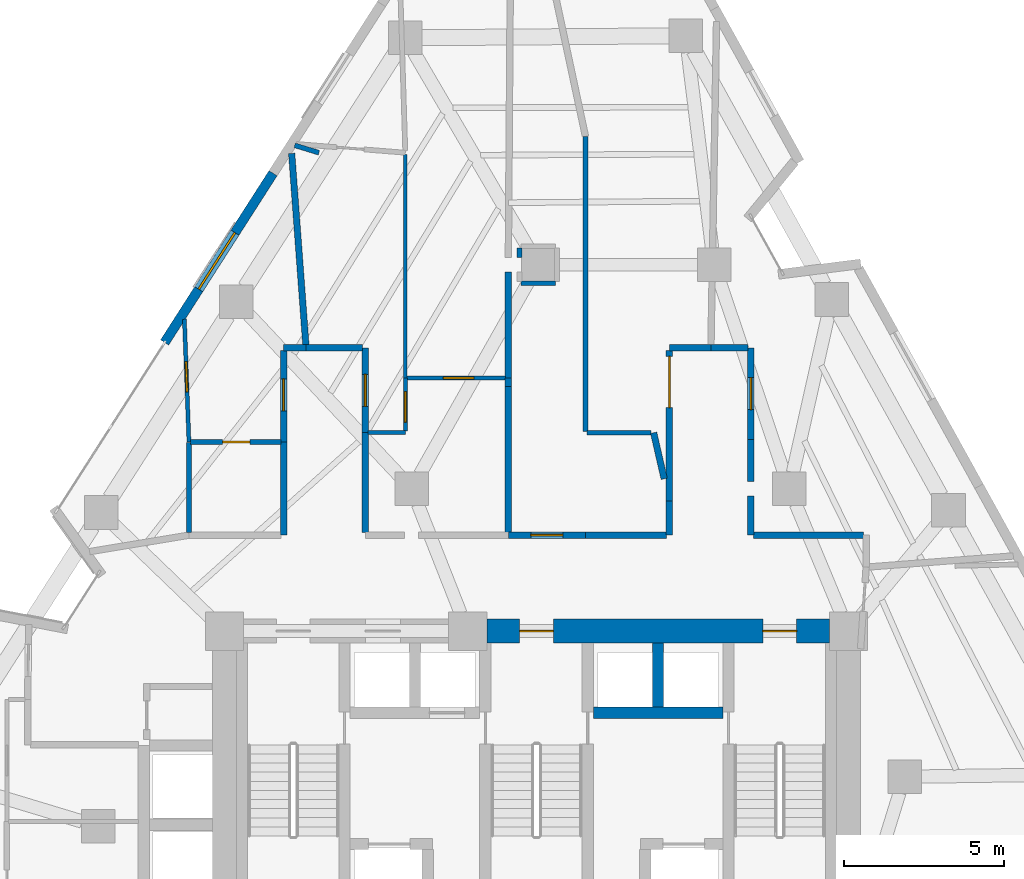
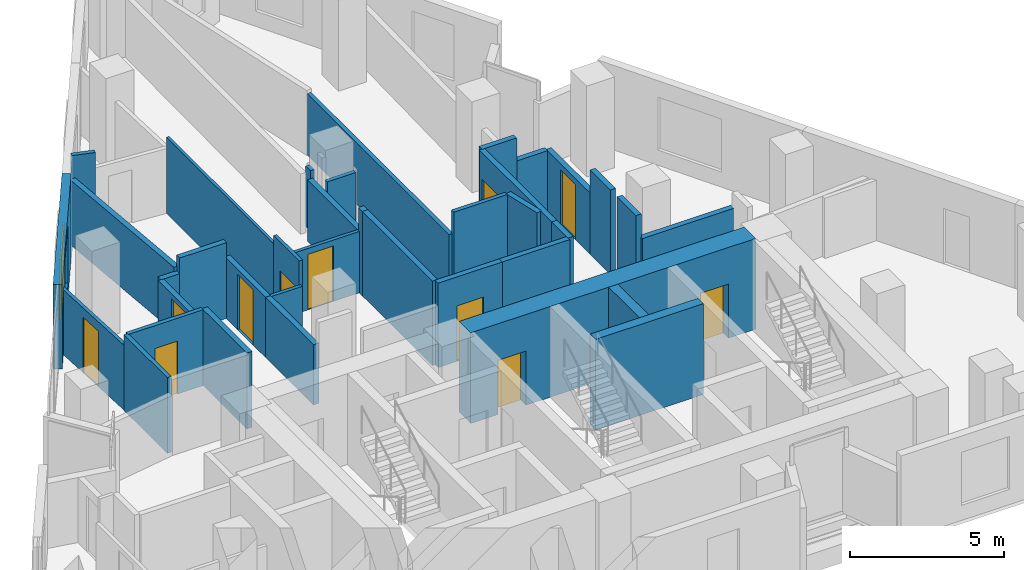
# One storey, part 7 of 11: 37 walls, 11 doors, 1 window, 12 openings.
"""IFC4 building model written with IfcOpenShell, lengths in metres."""

from ifc_helpers import new_model, si_unit, direction, frame, frame_2d, origin, place, context, subcontext, project, spatial, rectangle, extrude, material, layer, layer_set, type_object, element, fill, save


model = new_model("IFC4")

# Units and contexts
model_context = context("Model", 3, precision=1e-05, world=origin(), true_north=direction((0.0, 1.0)))
body_context = subcontext(model_context, "Body", "Model", "MODEL_VIEW")
ifc_project = project(units=[si_unit("LENGTHUNIT", "METRE"), si_unit("AREAUNIT", "SQUARE_METRE"), si_unit("VOLUMEUNIT", "CUBIC_METRE"), si_unit("PLANEANGLEUNIT", "RADIAN"), si_unit("MASSUNIT", "GRAM", prefix="KILO")], contexts=[model_context])

# Site, building, storey
site_placement = place(None, origin())
site = spatial("IfcSite", under=ifc_project, at=site_placement, CompositionType="ELEMENT")
building_placement = place(site_placement, origin())
building = spatial("IfcBuilding", under=site, at=building_placement, Name="Almagre Mirador Tower", CompositionType="ELEMENT")
storey_placement = place(building_placement, frame((0.0, 0.0, 157.199951171875)))
storey = spatial("IfcBuildingStorey", under=building, at=storey_placement, Name="L40", CompositionType="ELEMENT", Elevation=157.199951171875)

# Wall, opening, window
ifc_material_1 = material(Name="Precast concrete C50/60", Category="concrete")
ifc_layer_1 = layer(ifc_material_1, 0.300048828125)
ifc_layer_set_1 = layer_set([ifc_layer_1], Name="Precast concrete C50/60")
wall_type_1 = type_object("IfcWallType", Name="WAL-EXT-300", PredefinedType="SOLIDWALL", material=ifc_layer_set_1)
wall_1_placement = place(storey_placement, frame((25.679443359375, 23.771728515625, 0.0), z_axis=(0.0, 0.0, 1.0), x_axis=(0.539489448276, 0.841992360535, 0.0)))
wall_1 = element("IfcWall", 1, at=wall_1_placement, inside=storey, type_object=wall_type_1, Name="L40 expressed almagre precast frame wall 03", PredefinedType="SOLIDWALL", context=body_context, shape_type="SweptSolid", body=[
    extrude(rectangle(XDim=6.279052734375, YDim=0.300048828125, at=frame_2d((3.1396484375, 0.0))), origin(), (0.0, 0.0, 1.0), 3.35009765625),
])
opening_1_placement = place(wall_1_placement, frame((1.97509765625, 0.0, 0.550048828125)))
opening_1 = element("IfcOpeningElement", 2, at=opening_1_placement, cuts=wall_1, Name="Opening WN-05", PredefinedType="OPENING", context=body_context, shape_type="SweptSolid", body=[
    extrude(rectangle(XDim=2.10009765625, YDim=2.39990234375, at=frame_2d((1.050048828125, 1.199951171875))), frame((0.0, 0.159902, 0.0), z_axis=(0.0, -1.0, 0.0), x_axis=(1.0, 0.0, 0.0)), (0.0, 0.0, 1.0), 0.320049),
])
ifc_material_2 = material(Name="Dark solar-control laminated hurricane glass", Category="glass")
window_type = type_object("IfcWindowType", Name="WIN-2100X2400", PartitioningType="DOUBLE_PANEL_VERTICAL", PredefinedType="WINDOW", material=ifc_material_2)
window_placement = place(opening_1_placement, origin())
window = element("IfcWindow", 3, at=window_placement, inside=storey, type_object=window_type, Name="L40 recessed hurricane window L40-UD-ST", OverallHeight=2.39990234375, OverallWidth=2.10009765625, PartitioningType="SINGLE_PANEL", PredefinedType="WINDOW", context=body_context, shape_type="SweptSolid", body=[
    extrude(rectangle(XDim=2.10009765625, YDim=2.39990234375, at=frame_2d((1.050048828125, 1.199951171875))), frame((0.0, 0.030029296875, 0.0), z_axis=(0.0, -1.0, 0.0), x_axis=(1.0, 0.0, 0.0)), (0.0, 0.0, 1.0), 0.06005859375),
])
fill(opening_1, window)

# Wall
ifc_material_3 = material(Name="Gypsum acoustic stud partition", Category="other")
ifc_layer_2 = layer(ifc_material_3, 0.10009765625)
ifc_layer_set_2 = layer_set([ifc_layer_2], Name="Gypsum acoustic stud partition")
wall_type_2 = type_object("IfcWallType", Name="WAL-PRT-100-CLS", PredefinedType="PARTITIONING", material=ifc_layer_set_2)
wall_2_placement = place(storey_placement, frame((33.199951171875, 22.659912109375, 0.0), z_axis=(0.0, 0.0, 1.0), x_axis=(0.0, 1.0, 0.0)))
element("IfcWall", 4, at=wall_2_placement, inside=storey, type_object=wall_type_2, Name="L40 interior partition 062", PredefinedType="PARTITIONING", context=body_context, shape_type="SweptSolid", body=[
    extrude(rectangle(XDim=6.97998046875, YDim=0.10009765625, at=frame_2d((3.489990234375, 0.0))), origin(), (0.0, 0.0, 1.0), 3.010009765625),
])

# Wall, opening, door
ifc_material_4 = material(Name="Gypsum acoustic stud partition", Category="other")
ifc_layer_3 = layer(ifc_material_4, 0.125)
ifc_layer_set_3 = layer_set([ifc_layer_3], Name="Gypsum acoustic stud partition")
wall_type_3 = type_object("IfcWallType", Name="WAL-PRT-125-UTL", PredefinedType="PARTITIONING", material=ifc_layer_set_3)
wall_3_placement = place(storey_placement, frame((26.298095703125, 24.4970703125, 0.0), z_axis=(0.0, 0.0, 1.0), x_axis=(0.036941110587, -0.999317444233, 0.0)))
wall_3 = element("IfcWall", 5, at=wall_3_placement, inside=storey, type_object=wall_type_3, Name="L40 interior partition 042", PredefinedType="PARTITIONING", context=body_context, shape_type="SweptSolid", body=[
    extrude(rectangle(XDim=3.83984375, YDim=0.125, at=frame_2d((1.919921875, 0.0))), origin(), (0.0, 0.0, 1.0), 2.570068359375),
])
opening_2_placement = place(wall_3_placement, frame((1.32470703125, 0.0, 0.0)))
opening_2 = element("IfcOpeningElement", 6, at=opening_2_placement, cuts=wall_3, Name="Opening UD-01", PredefinedType="OPENING", context=body_context, shape_type="SweptSolid", body=[
    extrude(rectangle(XDim=0.949951171875, YDim=2.199951171875, at=frame_2d((0.47509765625, 1.10009765625))), frame((0.0, 0.0725, 0.0), z_axis=(0.0, -1.0, 0.0), x_axis=(1.0, 0.0, 0.0)), (0.0, 0.0, 1.0), 0.145),
])
ifc_material_5 = material(Name="Solid American walnut timber", Category="wood")
door_type_1 = type_object("IfcDoorType", Name="DOR-UNR-950X2200", OperationType="NOTDEFINED", PredefinedType="DOOR", material=ifc_material_5)
door_1_placement = place(opening_2_placement, origin())
door_1 = element("IfcDoor", 7, at=door_1_placement, inside=storey, type_object=door_type_1, Name="DR-1300 L40 interior door L40-UD-ST to L40-UD-KT", OperationType="SINGLE_SWING_LEFT", OverallHeight=2.199951171875, OverallWidth=0.949951171875, PredefinedType="DOOR", context=body_context, shape_type="SweptSolid", body=[
    extrude(rectangle(XDim=0.949951171875, YDim=2.199951171875, at=frame_2d((0.47509765625, 1.10009765625))), frame((0.0, 0.02490234375, 0.0), z_axis=(0.0, -1.0, 0.0), x_axis=(1.0, 0.0, 0.0)), (0.0, 0.0, 1.0), 0.050048828125),
])
fill(opening_2, door_1)

# Wall
wall_4_placement = place(storey_placement, frame((32.034912109375, 20.949951171875, 0.0), z_axis=(0.0, 0.0, 1.0), x_axis=(1.0, 0.0, 0.0)))
element("IfcWall", 8, at=wall_4_placement, inside=storey, type_object=wall_type_3, Name="L40 interior partition 060", PredefinedType="PARTITIONING", context=body_context, shape_type="SweptSolid", body=[
    extrude(rectangle(XDim=1.1650390625, YDim=0.125, at=frame_2d((0.58251953125, 0.0))), origin(), (0.0, 0.0, 1.0), 2.39306640625),
])

# Wall, opening, door
wall_5_placement = place(storey_placement, frame((33.199951171875, 20.99755859375, 0.0), z_axis=(0.0, 0.0, 1.0), x_axis=(0.0, 1.0, 0.0)))
wall_5 = element("IfcWall", 9, at=wall_5_placement, inside=storey, type_object=wall_type_3, Name="L40 interior partition 061", PredefinedType="PARTITIONING", context=body_context, shape_type="SweptSolid", body=[
    extrude(rectangle(XDim=1.662353515625, YDim=0.125, at=frame_2d((0.8310546875, 0.0))), origin(), (0.0, 0.0, 1.0), 3.35009765625),
])
opening_3_placement = place(wall_5_placement, frame((0.284423828125, 0.0, 0.0)))
opening_3 = element("IfcOpeningElement", 10, at=opening_3_placement, cuts=wall_5, Name="Opening UD-01", PredefinedType="OPENING", context=body_context, shape_type="SweptSolid", body=[
    extrude(rectangle(XDim=0.949951171875, YDim=2.199951171875, at=frame_2d((0.47509765625, 1.10009765625))), frame((0.0, 0.0725, 0.0), z_axis=(0.0, -1.0, 0.0), x_axis=(1.0, 0.0, 0.0)), (0.0, 0.0, 1.0), 0.145),
])
door_2_placement = place(opening_3_placement, origin())
door_2 = element("IfcDoor", 11, at=door_2_placement, inside=storey, type_object=door_type_1, Name="DR-1305 L40 interior door L40-UG-ST to L40-UG-KT", OperationType="SINGLE_SWING_LEFT", OverallHeight=2.199951171875, OverallWidth=0.949951171875, PredefinedType="DOOR", context=body_context, shape_type="SweptSolid", body=[
    extrude(rectangle(XDim=0.949951171875, YDim=2.199951171875, at=frame_2d((0.47509765625, 1.10009765625))), frame((0.0, 0.02490234375, 0.0), z_axis=(0.0, -1.0, 0.0), x_axis=(1.0, 0.0, 0.0)), (0.0, 0.0, 1.0), 0.050048828125),
])
fill(opening_3, door_2)

wall_6_placement = place(storey_placement, frame((36.3349609375, 22.659912109375, 0.0), z_axis=(0.0, 0.0, 1.0), x_axis=(-1.0, 0.0, 0.0)))
wall_6 = element("IfcWall", 12, at=wall_6_placement, inside=storey, type_object=wall_type_3, Name="L40 interior partition 064", PredefinedType="PARTITIONING", context=body_context, shape_type="SweptSolid", body=[
    extrude(rectangle(XDim=3.08740234375, YDim=0.125, at=frame_2d((1.543701171875, 0.0))), origin(), (0.0, 0.0, 1.0), 2.43603515625),
])
opening_4_placement = place(wall_6_placement, frame((0.991455078125, 0.0, 0.0)))
opening_4 = element("IfcOpeningElement", 13, at=opening_4_placement, cuts=wall_6, Name="Opening UD-01", PredefinedType="OPENING", context=body_context, shape_type="SweptSolid", body=[
    extrude(rectangle(XDim=0.949951171875, YDim=2.199951171875, at=frame_2d((0.47509765625, 1.10009765625))), frame((0.0, 0.0725, 0.0), z_axis=(0.0, -1.0, 0.0), x_axis=(1.0, 0.0, 0.0)), (0.0, 0.0, 1.0), 0.145),
])
door_3_placement = place(opening_4_placement, origin())
door_3 = element("IfcDoor", 14, at=door_3_placement, inside=storey, type_object=door_type_1, Name="DR-1307 L40 interior door L40-UG-KT to L40-UG-SL1", OperationType="SINGLE_SWING_LEFT", OverallHeight=2.199951171875, OverallWidth=0.949951171875, PredefinedType="DOOR", context=body_context, shape_type="SweptSolid", body=[
    extrude(rectangle(XDim=0.949951171875, YDim=2.199951171875, at=frame_2d((0.47509765625, 1.10009765625))), frame((0.0, 0.02490234375, 0.0), z_axis=(0.0, -1.0, 0.0), x_axis=(1.0, 0.0, 0.0)), (0.0, 0.0, 1.0), 0.050048828125),
])
fill(opening_4, door_3)

ifc_material_6 = material(Name="Gypsum acoustic stud partition", Category="other")
ifc_layer_4 = layer(ifc_material_6, 0.14990234375)
ifc_layer_set_4 = layer_set([ifc_layer_4], Name="Gypsum acoustic stud partition")
wall_type_4 = type_object("IfcWallType", Name="WAL-PRT-150-STD", PredefinedType="PARTITIONING", material=ifc_layer_set_4)
wall_7_placement = place(storey_placement, frame((26.487548828125, 20.659912109375, 0.0), z_axis=(0.0, 0.0, 1.0), x_axis=(1.0, 0.0, 0.0)))
wall_7 = element("IfcWall", 15, at=wall_7_placement, inside=storey, type_object=wall_type_4, Name="L40 interior partition 043", PredefinedType="PARTITIONING", context=body_context, shape_type="SweptSolid", body=[
    extrude(rectangle(XDim=2.827392578125, YDim=0.14990234375, at=frame_2d((1.41357421875, 0.0))), origin(), (0.0, 0.0, 1.0), 3.010009765625),
])
opening_5_placement = place(wall_7_placement, frame((1.007568359375, 0.0, 0.0)))
opening_5 = element("IfcOpeningElement", 16, at=opening_5_placement, cuts=wall_7, Name="Opening UD-04", PredefinedType="OPENING", context=body_context, shape_type="SweptSolid", body=[
    extrude(rectangle(XDim=0.85009765625, YDim=2.10009765625, at=frame_2d((0.425048828125, 1.050048828125))), frame((0.0, 0.084951, 0.0), z_axis=(0.0, -1.0, 0.0), x_axis=(1.0, 0.0, 0.0)), (0.0, 0.0, 1.0), 0.169902),
])
ifc_material_7 = material(Name="Moisture-resistant oak timber", Category="wood")
door_type_2 = type_object("IfcDoorType", Name="DOR-UNR-850X2100", OperationType="NOTDEFINED", PredefinedType="DOOR", material=ifc_material_7)
door_4_placement = place(opening_5_placement, origin())
door_4 = element("IfcDoor", 17, at=door_4_placement, inside=storey, type_object=door_type_2, Name="DR-1301 L40 interior door L40-UD-ST to L40-UD-BT", OperationType="SINGLE_SWING_RIGHT", OverallHeight=2.10009765625, OverallWidth=0.85009765625, PredefinedType="DOOR", context=body_context, shape_type="SweptSolid", body=[
    extrude(rectangle(XDim=0.85009765625, YDim=2.10009765625, at=frame_2d((0.425048828125, 1.050048828125))), frame((0.0, 0.02490234375, 0.0), z_axis=(0.0, -1.0, 0.0), x_axis=(1.0, 0.0, 0.0)), (0.0, 0.0, 1.0), 0.050048828125),
])
fill(opening_5, door_4)

# Walls
wall_8_placement = place(storey_placement, frame((26.43994140625, 17.8349609375, 0.0), z_axis=(0.0, 0.0, 1.0), x_axis=(0.0, 1.0, 0.0)))
element("IfcWall", 18, at=wall_8_placement, inside=storey, type_object=wall_type_4, Name="L40 interior partition 045", PredefinedType="PARTITIONING", context=body_context, shape_type="SweptSolid", body=[
    extrude(rectangle(XDim=2.8125, YDim=0.14990234375, at=frame_2d((1.40625, 0.0))), origin(), (0.0, 0.0, 1.0), 3.010009765625),
])
wall_9_placement = place(storey_placement, frame((29.743896484375, 29.930908203125, 0.0), z_axis=(0.0, 0.0, 1.0), x_axis=(0.956483166449, -0.291787512241, 0.0)))
element("IfcWall", 19, at=wall_9_placement, inside=storey, type_object=wall_type_4, Name="L40 interior partition 073", PredefinedType="PARTITIONING", context=body_context, shape_type="SweptSolid", body=[
    extrude(rectangle(XDim=0.79150390625, YDim=0.14990234375, at=frame_2d((0.395751953125, 0.0))), origin(), (0.0, 0.0, 1.0), 3.35009765625),
])
wall_10_placement = place(storey_placement, frame((36.77001953125, 26.419921875, 0.0), z_axis=(0.0, 0.0, 1.0), x_axis=(0.0, 1.0, 0.0)))
element("IfcWall", 20, at=wall_10_placement, inside=storey, type_object=wall_type_4, Name="L40 interior partition 075", PredefinedType="PARTITIONING", context=body_context, shape_type="SweptSolid", body=[
    extrude(rectangle(XDim=0.31005859375, YDim=0.14990234375, at=frame_2d((0.155029296875, 0.0))), origin(), (0.0, 0.0, 1.0), 2.39306640625),
])
wall_11_placement = place(storey_placement, frame((37.889892578125, 25.6201171875, 0.0), z_axis=(0.0, 0.0, 1.0), x_axis=(-1.0, 0.0, 0.0)))
element("IfcWall", 21, at=wall_11_placement, inside=storey, type_object=wall_type_4, Name="L40 interior partition 078", PredefinedType="PARTITIONING", context=body_context, shape_type="SweptSolid", body=[
    extrude(rectangle(XDim=1.06982421875, YDim=0.14990234375, at=frame_2d((0.534912109375, 0.0))), origin(), (0.0, 0.0, 1.0), 2.43603515625),
])
wall_12_placement = place(storey_placement, frame((40.875, 20.949951171875, 0.0), z_axis=(0.0, 0.0, 1.0), x_axis=(-1.0, 0.0, 0.0)))
element("IfcWall", 22, at=wall_12_placement, inside=storey, type_object=wall_type_4, Name="L40 interior partition 080", PredefinedType="PARTITIONING", context=body_context, shape_type="SweptSolid", body=[
    extrude(rectangle(XDim=2.0048828125, YDim=0.14990234375, at=frame_2d((1.00244140625, 0.0))), origin(), (0.0, 0.0, 1.0), 3.35009765625),
])
wall_13_placement = place(storey_placement, frame((38.830078125, 20.989990234375, 0.0), z_axis=(0.0, 0.0, 1.0), x_axis=(0.0, 1.0, 0.0)))
element("IfcWall", 23, at=wall_13_placement, inside=storey, type_object=wall_type_4, Name="L40 interior partition 081", PredefinedType="PARTITIONING", context=body_context, shape_type="SweptSolid", body=[
    extrude(rectangle(XDim=9.219970703125, YDim=0.14990234375, at=frame_2d((4.60986328125, 0.0))), origin(), (0.0, 0.0, 1.0), 2.43603515625),
])
ifc_material_8 = material(Name="Gypsum acoustic stud partition", Category="other")
ifc_layer_5 = layer(ifc_material_8, 0.199951171875)
ifc_layer_set_5 = layer_set([ifc_layer_5], Name="Gypsum acoustic stud partition")
wall_type_5 = type_object("IfcWallType", Name="WAL-PRT-200-EI60", PredefinedType="PARTITIONING", material=ifc_layer_set_5)
wall_14_placement = place(storey_placement, frame((30.10009765625, 23.60009765625, 0.0), z_axis=(0.0, 0.0, 1.0), x_axis=(-1.0, 0.0, 0.0)))
element("IfcWall", 24, at=wall_14_placement, inside=storey, type_object=wall_type_5, Name="L40 interior partition 005", PredefinedType="PARTITIONING", context=body_context, shape_type="SweptSolid", body=[
    extrude(rectangle(XDim=0.7001953125, YDim=0.199951171875, at=frame_2d((0.35009765625, 0.0))), origin(), (0.0, 0.0, 1.0), 2.39306640625),
])

# Wall, opening, door
wall_15_placement = place(storey_placement, frame((29.39990234375, 23.514892578125, 0.0), z_axis=(0.0, 0.0, 1.0), x_axis=(0.0, -1.0, 0.0)))
wall_15 = element("IfcWall", 25, at=wall_15_placement, inside=storey, type_object=wall_type_5, Name="L40 interior partition 006", PredefinedType="PARTITIONING", context=body_context, shape_type="SweptSolid", body=[
    extrude(rectangle(XDim=2.85498046875, YDim=0.199951171875, at=frame_2d((1.427490234375, 0.0))), origin(), (0.0, 0.0, 1.0), 2.39306640625),
])
opening_6_placement = place(wall_15_placement, frame((0.885009765625, 0.0, 0.0)))
opening_6 = element("IfcOpeningElement", 26, at=opening_6_placement, cuts=wall_15, Name="Opening ID-01", PredefinedType="OPENING", context=body_context, shape_type="SweptSolid", body=[
    extrude(rectangle(XDim=1.0, YDim=2.199951171875, at=frame_2d((0.5, 1.10009765625))), frame((0.0, 0.110098, 0.0), z_axis=(0.0, -1.0, 0.0), x_axis=(1.0, 0.0, 0.0)), (0.0, 0.0, 1.0), 0.219951),
])
ifc_material_9 = material(Name="Fire-rated walnut timber", Category="wood")
door_type_3 = type_object("IfcDoorType", Name="DOR-FD60-1000X2200", OperationType="NOTDEFINED", PredefinedType="DOOR", material=ifc_material_9)
door_5_placement = place(opening_6_placement, origin())
door_5 = element("IfcDoor", 27, at=door_5_placement, inside=storey, type_object=door_type_3, Name="DR-1299 L40 interior door L40-RCOR to L40-UD-ST", OperationType="SINGLE_SWING_RIGHT", OverallHeight=2.199951171875, OverallWidth=1.0, PredefinedType="DOOR", context=body_context, shape_type="SweptSolid", body=[
    extrude(rectangle(XDim=1.0, YDim=2.199951171875, at=frame_2d((0.5, 1.10009765625))), frame((0.0, 0.02490234375, 0.0), z_axis=(0.0, -1.0, 0.0), x_axis=(1.0, 0.0, 0.0)), (0.0, 0.0, 1.0), 0.050048828125),
])
fill(opening_6, door_5)

# Wall
wall_16_placement = place(storey_placement, frame((29.39990234375, 20.659912109375, 0.0), z_axis=(0.0, 0.0, 1.0), x_axis=(0.0, -1.0, 0.0)))
element("IfcWall", 28, at=wall_16_placement, inside=storey, type_object=wall_type_5, Name="L40 interior partition 008", PredefinedType="PARTITIONING", context=body_context, shape_type="SweptSolid", body=[
    extrude(rectangle(XDim=2.909912109375, YDim=0.199951171875, at=frame_2d((1.455078125, 0.0))), origin(), (0.0, 0.0, 1.0), 3.010009765625),
])

# Wall, opening, door
wall_17_placement = place(storey_placement, frame((38.830078125, 17.75, 0.0), z_axis=(0.0, 0.0, 1.0), x_axis=(-1.0, 0.0, 0.0)))
wall_17 = element("IfcWall", 29, at=wall_17_placement, inside=storey, type_object=wall_type_5, Name="L40 interior partition 010", PredefinedType="PARTITIONING", context=body_context, shape_type="SweptSolid", body=[
    extrude(rectangle(XDim=2.41015625, YDim=0.199951171875, at=frame_2d((1.205078125, 0.0))), origin(), (0.0, 0.0, 1.0), 3.35009765625),
])
opening_7_placement = place(wall_17_placement, frame((0.705078125, 0.0, 0.0)))
opening_7 = element("IfcOpeningElement", 30, at=opening_7_placement, cuts=wall_17, Name="Opening ID-01", PredefinedType="OPENING", context=body_context, shape_type="SweptSolid", body=[
    extrude(rectangle(XDim=1.0, YDim=2.199951171875, at=frame_2d((0.5, 1.10009765625))), frame((0.0, 0.110098, 0.0), z_axis=(0.0, -1.0, 0.0), x_axis=(1.0, 0.0, 0.0)), (0.0, 0.0, 1.0), 0.219951),
])
door_6_placement = place(opening_7_placement, origin())
door_6 = element("IfcDoor", 31, at=door_6_placement, inside=storey, type_object=door_type_3, Name="DR-1302 L40 interior door L40-RCOR to L40-UE-ST", OperationType="SINGLE_SWING_LEFT", OverallHeight=2.199951171875, OverallWidth=1.0, PredefinedType="DOOR", context=body_context, shape_type="SweptSolid", body=[
    extrude(rectangle(XDim=1.0, YDim=2.199951171875, at=frame_2d((0.5, 1.10009765625))), frame((0.0, 0.02490234375, 0.0), z_axis=(0.0, -1.0, 0.0), x_axis=(1.0, 0.0, 0.0)), (0.0, 0.0, 1.0), 0.050048828125),
])
fill(opening_7, door_6)

# Walls
wall_18_placement = place(storey_placement, frame((41.449951171875, 18.81005859375, 0.0), z_axis=(0.0, 0.0, 1.0), x_axis=(0.0, -1.0, 0.0)))
element("IfcWall", 32, at=wall_18_placement, inside=storey, type_object=wall_type_5, Name="L40 interior partition 011", PredefinedType="PARTITIONING", context=body_context, shape_type="SweptSolid", body=[
    extrude(rectangle(XDim=1.06005859375, YDim=0.199951171875, at=frame_2d((0.530029296875, 0.0))), origin(), (0.0, 0.0, 1.0), 3.35009765625),
])
wall_19_placement = place(storey_placement, frame((41.364990234375, 17.75, 0.0), z_axis=(0.0, 0.0, 1.0), x_axis=(-1.0, 0.0, 0.0)))
element("IfcWall", 33, at=wall_19_placement, inside=storey, type_object=wall_type_5, Name="L40 interior partition 012", PredefinedType="PARTITIONING", context=body_context, shape_type="SweptSolid", body=[
    extrude(rectangle(XDim=2.534912109375, YDim=0.199951171875, at=frame_2d((1.267578125, 0.0))), origin(), (0.0, 0.0, 1.0), 3.35009765625),
])

# Wall, opening, door
wall_20_placement = place(storey_placement, frame((44.0, 20.739990234375, 0.0), z_axis=(0.0, 0.0, 1.0), x_axis=(0.0, 1.0, 0.0)))
wall_20 = element("IfcWall", 34, at=wall_20_placement, inside=storey, type_object=wall_type_5, Name="L40 interior partition 013", PredefinedType="PARTITIONING", context=body_context, shape_type="SweptSolid", body=[
    extrude(rectangle(XDim=2.860107421875, YDim=0.199951171875, at=frame_2d((1.43017578125, 0.0))), origin(), (0.0, 0.0, 1.0), 2.43603515625),
])
opening_8_placement = place(wall_20_placement, frame((0.929931640625, 0.0, 0.0)))
opening_8 = element("IfcOpeningElement", 35, at=opening_8_placement, cuts=wall_20, Name="Opening ID-01", PredefinedType="OPENING", context=body_context, shape_type="SweptSolid", body=[
    extrude(rectangle(XDim=1.0, YDim=2.199951171875, at=frame_2d((0.5, 1.10009765625))), frame((0.0, 0.110098, 0.0), z_axis=(0.0, -1.0, 0.0), x_axis=(1.0, 0.0, 0.0)), (0.0, 0.0, 1.0), 0.219951),
])
door_7_placement = place(opening_8_placement, origin())
door_7 = element("IfcDoor", 36, at=door_7_placement, inside=storey, type_object=door_type_3, Name="DR-1303 L40 interior door L40-RCOR to L40-UF-ST", OperationType="SINGLE_SWING_RIGHT", OverallHeight=2.199951171875, OverallWidth=1.0, PredefinedType="DOOR", context=body_context, shape_type="SweptSolid", body=[
    extrude(rectangle(XDim=1.0, YDim=2.199951171875, at=frame_2d((0.5, 1.10009765625))), frame((0.0, 0.02490234375, 0.0), z_axis=(0.0, -1.0, 0.0), x_axis=(1.0, 0.0, 0.0)), (0.0, 0.0, 1.0), 0.050048828125),
])
fill(opening_8, door_7)

# Walls
wall_21_placement = place(storey_placement, frame((43.9150390625, 23.60009765625, 0.0), z_axis=(0.0, 0.0, 1.0), x_axis=(-1.0, 0.0, 0.0)))
element("IfcWall", 37, at=wall_21_placement, inside=storey, type_object=wall_type_5, Name="L40 interior partition 014", PredefinedType="PARTITIONING", context=body_context, shape_type="SweptSolid", body=[
    extrude(rectangle(XDim=1.1650390625, YDim=0.199951171875, at=frame_2d((0.58251953125, 0.0))), origin(), (0.0, 0.0, 1.0), 2.43603515625),
])
wall_22_placement = place(storey_placement, frame((44.0, 17.75, 0.0), z_axis=(0.0, 0.0, 1.0), x_axis=(0.0, 1.0, 0.0)))
element("IfcWall", 38, at=wall_22_placement, inside=storey, type_object=wall_type_5, Name="L40 interior partition 018", PredefinedType="PARTITIONING", context=body_context, shape_type="SweptSolid", body=[
    extrude(rectangle(XDim=1.22998046875, YDim=0.199951171875, at=frame_2d((0.614990234375, 0.0))), origin(), (0.0, 0.0, 1.0), 3.35009765625),
])

# Wall, opening, door
wall_23_placement = place(storey_placement, frame((31.949951171875, 20.949951171875, 0.0), z_axis=(0.0, 0.0, 1.0), x_axis=(0.0, 1.0, 0.0)))
wall_23 = element("IfcWall", 39, at=wall_23_placement, inside=storey, type_object=wall_type_5, Name="L40 interior partition 020", PredefinedType="PARTITIONING", context=body_context, shape_type="SweptSolid", body=[
    extrude(rectangle(XDim=2.650146484375, YDim=0.199951171875, at=frame_2d((1.3251953125, 0.0))), origin(), (0.0, 0.0, 1.0), 2.39306640625),
])
opening_9_placement = place(wall_23_placement, frame((0.824951171875, 0.0, 0.0)))
opening_9 = element("IfcOpeningElement", 40, at=opening_9_placement, cuts=wall_23, Name="Opening ID-01", PredefinedType="OPENING", context=body_context, shape_type="SweptSolid", body=[
    extrude(rectangle(XDim=1.0, YDim=2.199951171875, at=frame_2d((0.5, 1.10009765625))), frame((0.0, 0.110098, 0.0), z_axis=(0.0, -1.0, 0.0), x_axis=(1.0, 0.0, 0.0)), (0.0, 0.0, 1.0), 0.219951),
])
door_8_placement = place(opening_9_placement, origin())
door_8 = element("IfcDoor", 41, at=door_8_placement, inside=storey, type_object=door_type_3, Name="DR-1304 L40 interior door L40-RCOR to L40-UG-ST", OperationType="SINGLE_SWING_RIGHT", OverallHeight=2.199951171875, OverallWidth=1.0, PredefinedType="DOOR", context=body_context, shape_type="SweptSolid", body=[
    extrude(rectangle(XDim=1.0, YDim=2.199951171875, at=frame_2d((0.5, 1.10009765625))), frame((0.0, 0.02490234375, 0.0), z_axis=(0.0, -1.0, 0.0), x_axis=(1.0, 0.0, 0.0)), (0.0, 0.0, 1.0), 0.050048828125),
])
fill(opening_9, door_8)

# Walls
wall_24_placement = place(storey_placement, frame((31.864990234375, 23.60009765625, 0.0), z_axis=(0.0, 0.0, 1.0), x_axis=(-1.0, 0.0, 0.0)))
element("IfcWall", 42, at=wall_24_placement, inside=storey, type_object=wall_type_5, Name="L40 interior partition 021", PredefinedType="PARTITIONING", context=body_context, shape_type="SweptSolid", body=[
    extrude(rectangle(XDim=1.764892578125, YDim=0.199951171875, at=frame_2d((0.88232421875, 0.0))), origin(), (0.0, 0.0, 1.0), 3.010009765625),
])
wall_25_placement = place(storey_placement, frame((31.949951171875, 17.8349609375, 0.0), z_axis=(0.0, 0.0, 1.0), x_axis=(0.0, 1.0, 0.0)))
element("IfcWall", 43, at=wall_25_placement, inside=storey, type_object=wall_type_5, Name="L40 interior partition 023", PredefinedType="PARTITIONING", context=body_context, shape_type="SweptSolid", body=[
    extrude(rectangle(XDim=3.114990234375, YDim=0.199951171875, at=frame_2d((1.5576171875, 0.0))), origin(), (0.0, 0.0, 1.0), 2.39306640625),
])
wall_26_placement = place(storey_placement, frame((42.75, 23.60009765625, 0.0), z_axis=(0.0, 0.0, 1.0), x_axis=(-1.0, 0.0, 0.0)))
element("IfcWall", 44, at=wall_26_placement, inside=storey, type_object=wall_type_5, Name="L40 interior partition 025", PredefinedType="PARTITIONING", context=body_context, shape_type="SweptSolid", body=[
    extrude(rectangle(XDim=1.300048828125, YDim=0.199951171875, at=frame_2d((0.64990234375, 0.0))), origin(), (0.0, 0.0, 1.0), 3.35009765625),
])

# Wall, opening, door
wall_27_placement = place(storey_placement, frame((41.449951171875, 23.514892578125, 0.0), z_axis=(0.0, 0.0, 1.0), x_axis=(0.0, -1.0, 0.0)))
wall_27 = element("IfcWall", 45, at=wall_27_placement, inside=storey, type_object=wall_type_5, Name="L40 interior partition 026", PredefinedType="PARTITIONING", context=body_context, shape_type="SweptSolid", body=[
    extrude(rectangle(XDim=4.704833984375, YDim=0.199951171875, at=frame_2d((2.3525390625, 0.0))), origin(), (0.0, 0.0, 1.0), 3.35009765625),
])
opening_10_placement = place(wall_27_placement, frame((0.17626953125, 0.0, 0.0)))
opening_10 = element("IfcOpeningElement", 46, at=opening_10_placement, cuts=wall_27, Name="Opening ID-05", PredefinedType="OPENING", context=body_context, shape_type="SweptSolid", body=[
    extrude(rectangle(XDim=1.60009765625, YDim=2.300048828125, at=frame_2d((0.800048828125, 1.14990234375))), frame((0.0, 0.110098, 0.0), z_axis=(0.0, -1.0, 0.0), x_axis=(1.0, 0.0, 0.0)), (0.0, 0.0, 1.0), 0.219951),
])
ifc_material_10 = material(Name="Fire-rated acoustic timber", Category="wood")
door_type_4 = type_object("IfcDoorType", Name="DOR-FD60-1600X2300", OperationType="DOUBLE_DOOR_SINGLE_SWING", PredefinedType="DOOR", material=ifc_material_10)
door_9_placement = place(opening_10_placement, origin())
door_9 = element("IfcDoor", 47, at=door_9_placement, inside=storey, type_object=door_type_4, Name="DR-1294 L40 interior door L40-RCOR to L40-RST-H", OperationType="DOUBLE_DOOR_SINGLE_SWING", OverallHeight=2.300048828125, OverallWidth=1.60009765625, PredefinedType="DOOR", context=body_context, shape_type="SweptSolid", body=[
    extrude(rectangle(XDim=1.60009765625, YDim=2.300048828125, at=frame_2d((0.800048828125, 1.14990234375))), frame((0.0, 0.02490234375, 0.0), z_axis=(0.0, -1.0, 0.0), x_axis=(1.0, 0.0, 0.0)), (0.0, 0.0, 1.0), 0.050048828125),
])
fill(opening_10, door_9)

# Walls
wall_28_placement = place(storey_placement, frame((30.093994140625, 23.684814453125, 0.0), z_axis=(0.0, 0.0, 1.0), x_axis=(-0.073885151141, 0.997266756912, 0.0)))
element("IfcWall", 48, at=wall_28_placement, inside=storey, type_object=wall_type_5, Name="L40 interior partition 044", PredefinedType="PARTITIONING", context=body_context, shape_type="SweptSolid", body=[
    extrude(rectangle(XDim=6.010498046875, YDim=0.199951171875, at=frame_2d((3.00537109375, 0.0))), origin(), (0.0, 0.0, 1.0), 2.570068359375),
])
wall_29_placement = place(storey_placement, frame((36.419921875, 22.39990234375, 0.0), z_axis=(0.0, 0.0, 1.0), x_axis=(0.0, -1.0, 0.0)))
element("IfcWall", 49, at=wall_29_placement, inside=storey, type_object=wall_type_5, Name="L40 interior partition 048", PredefinedType="PARTITIONING", context=body_context, shape_type="SweptSolid", body=[
    extrude(rectangle(XDim=4.56494140625, YDim=0.199951171875, at=frame_2d((2.282470703125, 0.0))), origin(), (0.0, 0.0, 1.0), 3.35009765625),
])
wall_30_placement = place(storey_placement, frame((36.419921875, 22.659912109375, 0.0), z_axis=(0.0, 0.0, 1.0), x_axis=(0.0, -1.0, 0.0)))
element("IfcWall", 50, at=wall_30_placement, inside=storey, type_object=wall_type_5, Name="L40 interior partition 049", PredefinedType="PARTITIONING", context=body_context, shape_type="SweptSolid", body=[
    extrude(rectangle(XDim=0.260009765625, YDim=0.199951171875, at=frame_2d((0.1298828125, 0.0))), origin(), (0.0, 0.0, 1.0), 3.35009765625),
])
wall_31_placement = place(storey_placement, frame((36.419921875, 25.97998046875, 0.0), z_axis=(0.0, 0.0, 1.0), x_axis=(0.0, -1.0, 0.0)))
element("IfcWall", 51, at=wall_31_placement, inside=storey, type_object=wall_type_5, Name="L40 interior partition 050", PredefinedType="PARTITIONING", context=body_context, shape_type="SweptSolid", body=[
    extrude(rectangle(XDim=3.320068359375, YDim=0.199951171875, at=frame_2d((1.66015625, 0.0))), origin(), (0.0, 0.0, 1.0), 2.43603515625),
])
wall_32_placement = place(storey_placement, frame((41.2900390625, 19.509033203125, 0.0), z_axis=(0.0, 0.0, 1.0), x_axis=(-0.223291159638, 0.974751793036, 0.0)))
element("IfcWall", 52, at=wall_32_placement, inside=storey, type_object=wall_type_5, Name="L40 interior partition 053", PredefinedType="PARTITIONING", context=body_context, shape_type="SweptSolid", body=[
    extrude(rectangle(XDim=1.478271484375, YDim=0.199951171875, at=frame_2d((0.7392578125, 0.0))), origin(), (0.0, 0.0, 1.0), 3.35009765625),
])
wall_33_placement = place(storey_placement, frame((47.514892578125, 17.75, 0.0), z_axis=(0.0, 0.0, 1.0), x_axis=(-1.0, 0.0, 0.0)))
element("IfcWall", 53, at=wall_33_placement, inside=storey, type_object=wall_type_5, Name="L40 interior partition 065", PredefinedType="PARTITIONING", context=body_context, shape_type="SweptSolid", body=[
    extrude(rectangle(XDim=3.429931640625, YDim=0.199951171875, at=frame_2d((1.71484375, 0.0))), origin(), (0.0, 0.0, 1.0), 2.43603515625),
])
wall_34_placement = place(storey_placement, frame((44.0, 19.419921875, 0.0), z_axis=(0.0, 0.0, 1.0), x_axis=(0.0, 1.0, 0.0)))
element("IfcWall", 54, at=wall_34_placement, inside=storey, type_object=wall_type_5, Name="L40 interior partition 066", PredefinedType="PARTITIONING", context=body_context, shape_type="SweptSolid", body=[
    extrude(rectangle(XDim=1.320068359375, YDim=0.199951171875, at=frame_2d((0.66015625, 0.0))), origin(), (0.0, 0.0, 1.0), 3.35009765625),
])
ifc_material_11 = material(Name="Concrete C60/75", Category="concrete")
ifc_layer_6 = layer(ifc_material_11, 0.35009765625)
ifc_layer_set_6 = layer_set([ifc_layer_6], Name="Concrete C60/75")
wall_type_6 = type_object("IfcWallType", Name="WAL-SHF-350", PredefinedType="SOLIDWALL", material=ifc_layer_set_6)
wall_35_placement = place(storey_placement, frame((39.074951171875, 12.199951171875, 0.0), z_axis=(0.0, 0.0, 1.0), x_axis=(1.0, 0.0, 0.0)))
element("IfcWall", 55, at=wall_35_placement, inside=storey, type_object=wall_type_6, Name="L40 shaft wall PLH-S", PredefinedType="SOLIDWALL", context=body_context, shape_type="SweptSolid", body=[
    extrude(rectangle(XDim=4.050048828125, YDim=0.35009765625, at=frame_2d((2.02490234375, 0.0))), origin(), (0.0, 0.0, 1.0), 3.60009765625),
])
wall_36_placement = place(storey_placement, frame((41.10009765625, 12.375, 0.0), z_axis=(0.0, 0.0, 1.0), x_axis=(0.0, 1.0, 0.0)))
element("IfcWall", 56, at=wall_36_placement, inside=storey, type_object=wall_type_6, Name="L40 shaft wall PLH-M", PredefinedType="SOLIDWALL", context=body_context, shape_type="SweptSolid", body=[
    extrude(rectangle(XDim=2.0, YDim=0.35009765625, at=frame_2d((1.0, 0.0))), origin(), (0.0, 0.0, 1.0), 3.60009765625),
])

# Wall, openings, doors
ifc_material_12 = material(Name="Concrete C60/75", Category="concrete")
ifc_layer_7 = layer(ifc_material_12, 0.75)
ifc_layer_set_7 = layer_set([ifc_layer_7], Name="Concrete C60/75")
wall_type_7 = type_object("IfcWallType", Name="WAL-SHR-750", PredefinedType="SHEAR", material=ifc_layer_set_7)
wall_37_placement = place(storey_placement, frame((35.75, 14.75, 0.0), z_axis=(0.0, 0.0, 1.0), x_axis=(1.0, 0.0, 0.0)))
wall_37 = element("IfcWall", 57, at=wall_37_placement, inside=storey, type_object=wall_type_7, Name="L40 core shear wall N2", PredefinedType="SHEAR", context=body_context, shape_type="SweptSolid", body=[
    extrude(rectangle(XDim=10.699951171875, YDim=0.75, at=frame_2d((5.35009765625, 0.0))), origin(), (0.0, 0.0, 1.0), 3.60009765625),
])
opening_11_placement = place(wall_37_placement, frame((1.02490234375, 0.0, 0.0)))
opening_11 = element("IfcOpeningElement", 58, at=opening_11_placement, cuts=wall_37, Name="Opening SD-01", PredefinedType="OPENING", context=body_context, shape_type="SweptSolid", body=[
    extrude(rectangle(XDim=1.050048828125, YDim=2.14990234375, at=frame_2d((0.52490234375, 1.074951171875))), frame((0.0, 0.385, 0.0), z_axis=(0.0, -1.0, 0.0), x_axis=(1.0, 0.0, 0.0)), (0.0, 0.0, 1.0), 0.77),
])
opening_12_placement = place(wall_37_placement, frame((8.625, 0.0, 0.0)))
opening_12 = element("IfcOpeningElement", 59, at=opening_12_placement, cuts=wall_37, Name="Opening SD-01", PredefinedType="OPENING", context=body_context, shape_type="SweptSolid", body=[
    extrude(rectangle(XDim=1.050048828125, YDim=2.14990234375, at=frame_2d((0.52490234375, 1.074951171875))), frame((0.0, 0.385, 0.0), z_axis=(0.0, -1.0, 0.0), x_axis=(1.0, 0.0, 0.0)), (0.0, 0.0, 1.0), 0.77),
])
ifc_material_13 = material(Name="Fire-rated hollow steel", Category="steel")
door_type_5 = type_object("IfcDoorType", Name="DOR-ST-1050X2150", OperationType="NOTDEFINED", PredefinedType="DOOR", material=ifc_material_13)
door_10_placement = place(opening_11_placement, origin())
door_10 = element("IfcDoor", 60, at=door_10_placement, inside=storey, type_object=door_type_5, Name="DR-1313 L40 protected exit stair ST-2 door", OperationType="SINGLE_SWING_RIGHT", OverallHeight=2.14990234375, OverallWidth=1.050048828125, PredefinedType="DOOR", context=body_context, shape_type="SweptSolid", body=[
    extrude(rectangle(XDim=1.050048828125, YDim=2.14990234375, at=frame_2d((0.52490234375, 1.074951171875))), frame((0.0, 0.02490234375, 0.0), z_axis=(0.0, -1.0, 0.0), x_axis=(1.0, 0.0, 0.0)), (0.0, 0.0, 1.0), 0.050048828125),
])
fill(opening_11, door_10)
door_11_placement = place(opening_12_placement, origin())
door_11 = element("IfcDoor", 61, at=door_11_placement, inside=storey, type_object=door_type_5, Name="DR-1314 L40 protected exit stair ST-3 door", OperationType="SINGLE_SWING_LEFT", OverallHeight=2.14990234375, OverallWidth=1.050048828125, PredefinedType="DOOR", context=body_context, shape_type="SweptSolid", body=[
    extrude(rectangle(XDim=1.050048828125, YDim=2.14990234375, at=frame_2d((0.52490234375, 1.074951171875))), frame((0.0, 0.02490234375, 0.0), z_axis=(0.0, -1.0, 0.0), x_axis=(1.0, 0.0, 0.0)), (0.0, 0.0, 1.0), 0.050048828125),
])
fill(opening_12, door_11)

save(model, "model.ifc")
